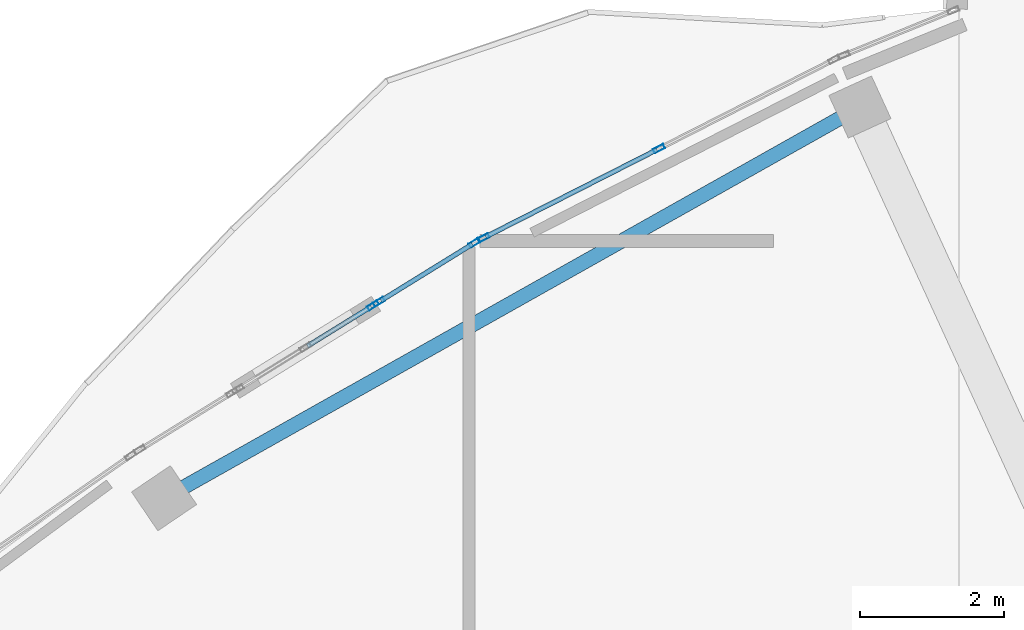
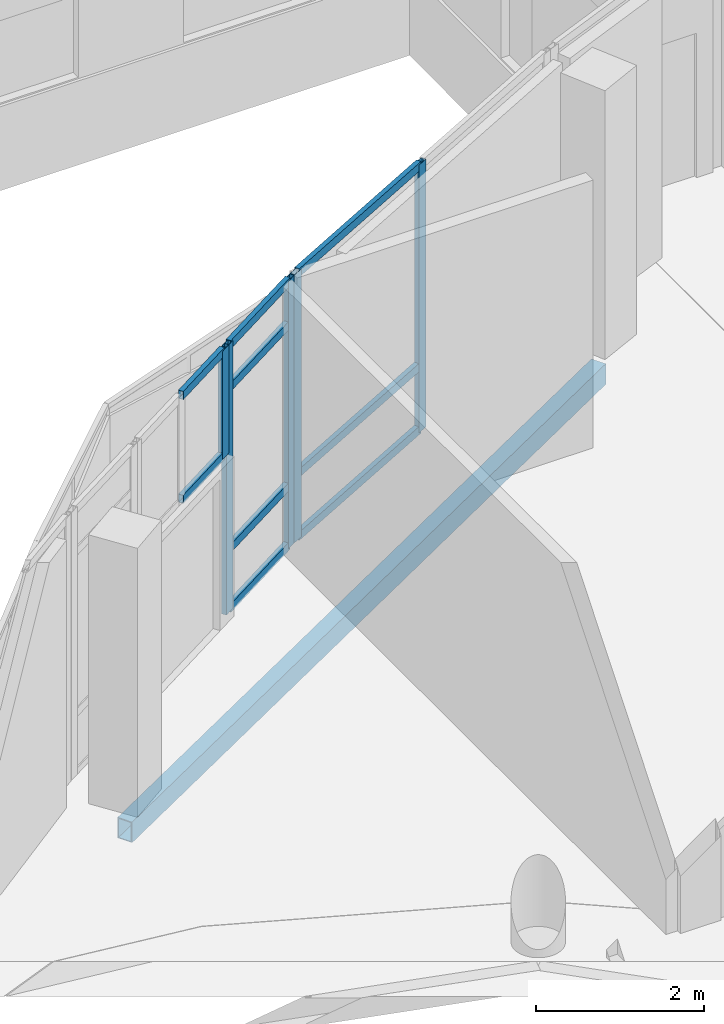
# One storey, part 106 of 184: 14 members, 1 beam, 3 elements without a shape of their own.
"""IFC4 building model written with IfcOpenShell, lengths in metres."""

import ifcopenshell
import ifcopenshell.guid

model = None  # the IFC model being written
_history = None  # IfcOwnerHistory: only IFC2X3 demands one
_inside = {}  # id of a spatial element -> (the spatial element, [elements in it])
_under = {}  # id of a project, library or spatial element -> (it, [spatial elements below it])
_declared = {}  # id of a project -> (the project, [libraries it declares])
_typed = {}  # id of a type object -> (the type object, [elements of that type])
_made_of = {}  # id of a material, layer set ... -> (it, [elements and type objects made of it])


def new_model(schema):
    """Start an empty IFC model of exactly this schema.

    Asked for "IFC4X3", IfcOpenShell would pick the latest addendum, in which some entities
    have other attributes; the version numbers below select the first issue.
    IFC2X3 requires an IfcOwnerHistory on every rooted entity: one is made here for all.
    """
    global model, _history
    if schema == "IFC4X3":
        model = ifcopenshell.file(schema_version=(4, 3, 0, 0))
    else:
        model = ifcopenshell.file(schema=schema)
    _inside.clear()
    _under.clear()
    _declared.clear()
    _typed.clear()
    _made_of.clear()
    _history = None
    if model.schema == "IFC2X3":
        org = make("IfcOrganization", Name="unknown")
        user = make(
            "IfcPersonAndOrganization",
            ThePerson=make("IfcPerson", FamilyName="unknown"),
            TheOrganization=org,
        )
        app = make(
            "IfcApplication",
            ApplicationDeveloper=org,
            Version="unknown",
            ApplicationFullName="unknown",
            ApplicationIdentifier="unknown",
        )
        _history = make(
            "IfcOwnerHistory",
            OwningUser=user,
            OwningApplication=app,
            ChangeAction="ADDED",
            CreationDate=0,
        )
    return model


def make(cls, **values):
    """One entity of the class cls with the attributes given. An attribute that is None is left unset."""
    return model.create_entity(
        cls, **{name: value for name, value in values.items() if value is not None}
    )


def rooted(cls, **values):
    """An entity with a GlobalId (a new one), such as an element, a storey or a relation."""
    return make(cls, GlobalId=ifcopenshell.guid.new(), OwnerHistory=_history, **values)


def si_unit(unit_type, name, prefix=None):
    """IfcSIUnit, for example si_unit("LENGTHUNIT", "METRE", prefix="MILLI")."""
    return make("IfcSIUnit", UnitType=unit_type, Prefix=prefix, Name=name)


def assignment(units):
    """IfcUnitAssignment: the units of a project."""
    return None if units is None else make("IfcUnitAssignment", Units=units)


def point(xyz):
    """IfcCartesianPoint."""
    return None if xyz is None else make("IfcCartesianPoint", Coordinates=xyz)


def direction(xyz):
    """IfcDirection."""
    return None if xyz is None else make("IfcDirection", DirectionRatios=xyz)


def frame(location, z_axis=None, x_axis=None):
    """IfcAxis2Placement3D, a coordinate frame: its origin and axes. An axis left out is left unset."""
    return make(
        "IfcAxis2Placement3D",
        Location=point(location),
        Axis=direction(z_axis),
        RefDirection=direction(x_axis),
    )


def frame_2d(location, x_axis=None):
    """IfcAxis2Placement2D, a coordinate frame in the plane: its origin and x axis."""
    return make(
        "IfcAxis2Placement2D", Location=point(location), RefDirection=direction(x_axis)
    )


def origin():
    """The frame at (0, 0, 0) with its axes left unset."""
    return frame((0.0, 0.0, 0.0))


def origin_2d():
    """The frame at (0, 0) in the plane with its x axis left unset."""
    return frame_2d((0.0, 0.0))


def place(relative_to, where):
    """IfcLocalPlacement: puts the frame where relative to a parent placement (None: the world)."""
    return make(
        "IfcLocalPlacement", PlacementRelTo=relative_to, RelativePlacement=where
    )


def context(
    kind, dimensions, precision=None, world=None, true_north=None, identifier=None
):
    """IfcGeometricRepresentationContext, for example the 3D "Model" context."""
    return make(
        "IfcGeometricRepresentationContext",
        ContextIdentifier=identifier,
        ContextType=kind,
        CoordinateSpaceDimension=dimensions,
        Precision=precision,
        WorldCoordinateSystem=world,
        TrueNorth=true_north,
    )


def subcontext(parent, identifier, kind, view, scale=None):
    """IfcGeometricRepresentationSubContext, for example "Body" below "Model"."""
    return make(
        "IfcGeometricRepresentationSubContext",
        ContextIdentifier=identifier,
        ContextType=kind,
        ParentContext=parent,
        TargetScale=scale,
        TargetView=view,
    )


def project(units=None, contexts=None):
    """IfcProject with its units and contexts."""
    return rooted(
        "IfcProject",
        Name="project",
        RepresentationContexts=contexts,
        UnitsInContext=assignment(units),
    )


def spatial(cls, under=None, at=None, **own):
    """A site, building, storey or space (cls), placed at a placement, below another one or the project."""
    s = rooted(cls, ObjectPlacement=at, **own)
    if under is not None:
        _under.setdefault(under.id(), (under, []))[1].append(s)
    return s


def profile(cls, at=None, kind="AREA", **sizes):
    """A parametric profile (cls). Its sizes go by their IFC names, for example OverallWidth=200.0."""
    return make(cls, ProfileType=kind, Position=at, **sizes)


def hollow_rectangle(**sizes):
    """IfcRectangleHollowProfileDef."""
    return profile("IfcRectangleHollowProfileDef", **sizes)


def extrude(swept, where, along, depth):
    """IfcExtrudedAreaSolid: the profile swept, set in the frame where, extruded along a direction by depth."""
    return make(
        "IfcExtrudedAreaSolid",
        SweptArea=swept,
        Position=where,
        ExtrudedDirection=direction(along),
        Depth=depth,
    )


def shape(context_of_items, identifier, shape_type, items):
    """IfcShapeRepresentation: the items that make up one representation, for example the "Body"."""
    return make(
        "IfcShapeRepresentation",
        ContextOfItems=context_of_items,
        RepresentationIdentifier=identifier,
        RepresentationType=shape_type,
        Items=items,
    )


def material(Name=None, Category=None):
    """IfcMaterial."""
    return make("IfcMaterial", Name=Name, Category=Category)


def material_profile(
    of_material, cross_section, Name=None, Category=None, Priority=None
):
    """IfcMaterialProfile: a cross section and its material."""
    return make(
        "IfcMaterialProfile",
        Name=Name,
        Material=of_material,
        Profile=cross_section,
        Priority=Priority,
        Category=Category,
    )


def profile_set(profiles, Name=None, composite=None):
    """IfcMaterialProfileSet."""
    return make(
        "IfcMaterialProfileSet",
        Name=Name,
        MaterialProfiles=profiles,
        CompositeProfile=composite,
    )


def made_of(thing, what):
    """Note that an element or type object is made of a material, layer set ...; save() writes the relation."""
    if what is not None:
        _made_of.setdefault(what.id(), (what, []))[1].append(thing)
    return thing


def type_object(cls, material=None, **own):
    """A type object (cls), such as IfcWallType, which elements share."""
    return made_of(rooted(cls, **own), material)


def element(
    cls,
    number,
    at=None,
    inside=None,
    cuts=None,
    type_object=None,
    material=None,
    context=None,
    identifier="Body",
    shape_type=None,
    held_by="IfcProductDefinitionShape",
    body=None,
    shapes=None,
    **own,
):
    """One element of the class cls, such as IfcWall. Its Tag is "e" and its number.

    at: its placement. inside: the storey or other place that contains it. cuts: it is an
    opening in that element (IfcRelVoidsElement). A single representation is given by context,
    identifier, shape_type and body (its items); several are given by shapes. held_by: the class
    of the entity that holds the representations. save() writes the other relations.
    """
    e = rooted(cls, Tag="e%d" % number, ObjectPlacement=at, **own)
    if body is not None:
        shapes = [shape(context, identifier, shape_type, body)]
    if shapes is not None:
        e.Representation = make(held_by, Representations=shapes)
    if inside is not None:
        _inside.setdefault(inside.id(), (inside, []))[1].append(e)
    if cuts is not None:
        rooted(
            "IfcRelVoidsElement", RelatingBuildingElement=cuts, RelatedOpeningElement=e
        )
    if type_object is not None:
        _typed.setdefault(type_object.id(), (type_object, []))[1].append(e)
    return made_of(e, material)


def aggregate(whole, parts):
    """IfcRelAggregates: a whole, such as a stair, and the parts it consists of."""
    return rooted("IfcRelAggregates", RelatingObject=whole, RelatedObjects=parts)


def save(model, path):
    """Write the relations noted so far, then the file.

    IfcRelAggregates (storeys below a building ...), IfcRelContainedInSpatialStructure (elements
    in a storey), IfcRelDefinesByType, IfcRelAssociatesMaterial and IfcRelDeclares: one each for
    every whole, place, type object, material and project.
    """
    for whole, parts in _under.values():
        aggregate(whole, parts)
    for where, things in _inside.values():
        rooted(
            "IfcRelContainedInSpatialStructure",
            RelatedElements=things,
            RelatingStructure=where,
        )
    for kind, things in _typed.values():
        rooted("IfcRelDefinesByType", RelatedObjects=things, RelatingType=kind)
    for what, things in _made_of.values():
        rooted("IfcRelAssociatesMaterial", RelatedObjects=things, RelatingMaterial=what)
    for by, libraries in _declared.values():
        rooted("IfcRelDeclares", RelatingContext=by, RelatedDefinitions=libraries)
    model.write(path)


model = new_model("IFC4")

# Units and contexts
model_context = context("Model", 3, precision=1e-05, world=origin(), true_north=direction((0.0, 1.0)))
body_context = subcontext(model_context, "Body", "Model", "MODEL_VIEW")
ifc_project = project(units=[si_unit("LENGTHUNIT", "METRE"), si_unit("AREAUNIT", "SQUARE_METRE"), si_unit("VOLUMEUNIT", "CUBIC_METRE"), si_unit("PLANEANGLEUNIT", "RADIAN"), si_unit("MASSUNIT", "GRAM", prefix="KILO")], contexts=[model_context])

# Site, building, storey
site_placement = place(None, origin())
site = spatial("IfcSite", under=ifc_project, at=site_placement, CompositionType="ELEMENT")
building_placement = place(site_placement, origin())
building = spatial("IfcBuilding", under=site, at=building_placement, Name="Selatvlak General Hospital", CompositionType="ELEMENT")
storey_placement = place(building_placement, frame((0.0, 0.0, 15.0)))
storey = spatial("IfcBuildingStorey", under=building, at=storey_placement, Name="L03", CompositionType="ELEMENT", Elevation=15.0)

# Beam
ifc_material_1 = material(Name="Steel S355", Category="steel")
ifc_material_profile_1 = material_profile(ifc_material_1, hollow_rectangle(XDim=0.199951171875, YDim=0.300048828125, WallThickness=0.011962890625, at=origin_2d()), Name="RHS 300x200x12")
ifc_profile_set_1 = profile_set([ifc_material_profile_1], Name="Steel S355")
beam_type = type_object("IfcBeamType", Name="BM-SP3", PredefinedType="SPANDREL", material=ifc_profile_set_1)
beam_placement = place(storey_placement, frame((102.572998046875, 71.77001953125, -0.489990234375), z_axis=(0.871670941026, 0.490091594063, 0.0), x_axis=(-0.490091594063, 0.871670941026, 0.0)))
element("IfcBeam", 1, at=beam_placement, inside=storey, type_object=beam_type, Name="Beam BMR-L03-1483", PredefinedType="SPANDREL", context=body_context, shape_type="SweptSolid", body=[
    extrude(hollow_rectangle(XDim=0.199951171875, YDim=0.300048828125, WallThickness=0.011962890625, at=origin_2d()), origin(), (0.0, 0.0, 1.0), 11.069580078125),
])

# Curtain wall, member
ifc_material_2 = material(Name="Solar-control Low-E double glazing", Category="glass")
curtain_wall_type_1 = type_object("IfcCurtainWallType", Name="CW-CW-02", PredefinedType="USERDEFINED", material=ifc_material_2)
curtain_wall_1_placement = place(storey_placement, origin())
curtain_wall_1 = element("IfcCurtainWall", 2, at=curtain_wall_1_placement, inside=storey, type_object=curtain_wall_type_1, Name="Glazed facade curtain wall CW-L03-0470", ObjectType="UNITISED CURTAIN WALL", PredefinedType="USERDEFINED")
ifc_material_3 = material(Name="Dark anodised aluminium mullion", Category="aluminium")
ifc_material_profile_2 = material_profile(ifc_material_3, hollow_rectangle(XDim=0.06494140625, YDim=0.159912109375, WallThickness=0.00390625, at=origin_2d()), Name="AL-MUL 65x160x4")
ifc_profile_set_2 = profile_set([ifc_material_profile_2], Name="Dark anodised aluminium mullion")
member_type_1 = type_object("IfcMemberType", Name="CWM-01", PredefinedType="MULLION", material=ifc_profile_set_2)
member_1_placement = place(storey_placement, frame((105.471435546875, 74.44287109375, 2.320068359375), z_axis=(0.0, 0.0, 1.0), x_axis=(-0.526111885649, 0.850415359562, 0.0)))
member_1 = element("IfcMember", 3, at=member_1_placement, type_object=member_type_1, Name="CW-02 mullion 3", PredefinedType="MULLION", context=body_context, shape_type="SweptSolid", body=[
    extrude(hollow_rectangle(XDim=0.06494140625, YDim=0.159912109375, WallThickness=0.00390625, at=origin_2d()), origin(), (0.0, 0.0, 1.0), 1.574951171875),
])

# Curtain wall, members
curtain_wall_type_2 = type_object("IfcCurtainWallType", Name="CW-CW-01", PredefinedType="USERDEFINED", material=ifc_material_2)
curtain_wall_2_placement = place(storey_placement, origin())
curtain_wall_2 = element("IfcCurtainWall", 4, at=curtain_wall_2_placement, inside=storey, type_object=curtain_wall_type_2, Name="Glazed facade curtain wall CW-L03-0472", ObjectType="UNITISED CURTAIN WALL", PredefinedType="USERDEFINED")
member_2_placement = place(storey_placement, frame((105.552734375, 74.4931640625, 0.0), z_axis=(0.0, 0.0, 1.0), x_axis=(-0.525611082166, 0.850724979241, 0.0)))
member_2 = element("IfcMember", 5, at=member_2_placement, type_object=member_type_1, Name="CW-01 mullion 1", PredefinedType="MULLION", context=body_context, shape_type="SweptSolid", body=[
    extrude(hollow_rectangle(XDim=0.06494140625, YDim=0.159912109375, WallThickness=0.00390625, at=origin_2d()), origin(), (0.0, 0.0, 1.0), 3.89501953125),
])
member_3_placement = place(storey_placement, frame((106.87646484375, 75.31103515625, 0.0), z_axis=(0.0, 0.0, 1.0), x_axis=(-0.525611082166, 0.850724979241, 0.0)))
member_3 = element("IfcMember", 6, at=member_3_placement, type_object=member_type_1, Name="CW-01 mullion 2", PredefinedType="MULLION", context=body_context, shape_type="SweptSolid", body=[
    extrude(hollow_rectangle(XDim=0.06494140625, YDim=0.159912109375, WallThickness=0.00390625, at=origin_2d()), origin(), (0.0, 0.0, 1.0), 3.89501953125),
])

curtain_wall_3_placement = place(storey_placement, origin())
curtain_wall_3 = element("IfcCurtainWall", 7, at=curtain_wall_3_placement, inside=storey, type_object=curtain_wall_type_2, Name="Glazed facade curtain wall CW-L03-0473", ObjectType="UNITISED CURTAIN WALL", PredefinedType="USERDEFINED")
member_4_placement = place(storey_placement, frame((107.00390625, 75.380615234375, 0.0), z_axis=(0.0, 0.0, 1.0), x_axis=(-0.453361318983, 0.891326828077, 0.0)))
member_4 = element("IfcMember", 8, at=member_4_placement, type_object=member_type_1, Name="CW-01 mullion 1", PredefinedType="MULLION", context=body_context, shape_type="SweptSolid", body=[
    extrude(hollow_rectangle(XDim=0.06494140625, YDim=0.159912109375, WallThickness=0.00390625, at=origin_2d()), origin(), (0.0, 0.0, 1.0), 3.89501953125),
])
member_5_placement = place(storey_placement, frame((109.435546875, 76.617431640625, 0.0), z_axis=(0.0, 0.0, 1.0), x_axis=(-0.453361318983, 0.891326828077, 0.0)))
member_5 = element("IfcMember", 9, at=member_5_placement, type_object=member_type_1, Name="CW-01 mullion 2", PredefinedType="MULLION", context=body_context, shape_type="SweptSolid", body=[
    extrude(hollow_rectangle(XDim=0.06494140625, YDim=0.159912109375, WallThickness=0.00390625, at=origin_2d()), origin(), (0.0, 0.0, 1.0), 3.89501953125),
])

# Member
ifc_material_profile_3 = material_profile(ifc_material_3, hollow_rectangle(XDim=0.06494140625, YDim=0.1201171875, WallThickness=0.00390625, at=origin_2d()), Name="AL-TRN 65x120x4")
ifc_profile_set_3 = profile_set([ifc_material_profile_3], Name="Dark anodised aluminium mullion")
member_type_2 = type_object("IfcMemberType", Name="CWT-01", PredefinedType="USERDEFINED", material=ifc_profile_set_3)
member_6_placement = place(storey_placement, frame((104.5615234375, 73.880126953125, 2.3525390625), z_axis=(0.850435657631, 0.526079074123, 0.0), x_axis=(-0.526079074123, 0.850435657631, 0.0)))
member_6 = element("IfcMember", 10, at=member_6_placement, type_object=member_type_2, Name="CW-02 transom 2.1", ObjectType="TRANSOM", PredefinedType="USERDEFINED", context=body_context, shape_type="SweptSolid", body=[
    extrude(hollow_rectangle(XDim=0.06494140625, YDim=0.1201171875, WallThickness=0.00390625, at=origin_2d()), origin(), (0.0, 0.0, 1.0), 1.037109375),
])

member_7_placement = place(storey_placement, frame((104.5615234375, 73.880126953125, 3.862548828125), z_axis=(0.850435657631, 0.526079074123, 0.0), x_axis=(-0.526079074123, 0.850435657631, 0.0)))
member_7 = element("IfcMember", 11, at=member_7_placement, type_object=member_type_2, Name="CW-02 transom 2.2", ObjectType="TRANSOM", PredefinedType="USERDEFINED", context=body_context, shape_type="SweptSolid", body=[
    extrude(hollow_rectangle(XDim=0.06494140625, YDim=0.1201171875, WallThickness=0.00390625, at=origin_2d()), origin(), (0.0, 0.0, 1.0), 1.037109375),
])

aggregate(curtain_wall_1, [member_1, member_6, member_7])

member_8_placement = place(storey_placement, frame((105.580322265625, 74.51025390625, 0.032470703125), z_axis=(0.850701084111, 0.525649755533, 0.0), x_axis=(-0.525649755533, 0.850701084111, 0.0)))
member_8 = element("IfcMember", 12, at=member_8_placement, type_object=member_type_2, Name="CW-01 transom 1.1", ObjectType="TRANSOM", PredefinedType="USERDEFINED", context=body_context, shape_type="SweptSolid", body=[
    extrude(hollow_rectangle(XDim=0.06494140625, YDim=0.1201171875, WallThickness=0.00390625, at=origin_2d()), origin(), (0.0, 0.0, 1.0), 1.490966796875),
])

member_9_placement = place(storey_placement, frame((105.580322265625, 74.51025390625, 0.89990234375), z_axis=(0.850701084111, 0.525649755533, 0.0), x_axis=(-0.525649755533, 0.850701084111, 0.0)))
member_9 = element("IfcMember", 13, at=member_9_placement, type_object=member_type_2, Name="CW-01 transom 1.2", ObjectType="TRANSOM", PredefinedType="USERDEFINED", context=body_context, shape_type="SweptSolid", body=[
    extrude(hollow_rectangle(XDim=0.06494140625, YDim=0.1201171875, WallThickness=0.00390625, at=origin_2d()), origin(), (0.0, 0.0, 1.0), 1.490966796875),
])

member_10_placement = place(storey_placement, frame((105.580322265625, 74.51025390625, 3.2451171875), z_axis=(0.850701084111, 0.525649755533, 0.0), x_axis=(-0.525649755533, 0.850701084111, 0.0)))
member_10 = element("IfcMember", 14, at=member_10_placement, type_object=member_type_2, Name="CW-01 transom 1.3", ObjectType="TRANSOM", PredefinedType="USERDEFINED", context=body_context, shape_type="SweptSolid", body=[
    extrude(hollow_rectangle(XDim=0.06494140625, YDim=0.1201171875, WallThickness=0.00390625, at=origin_2d()), origin(), (0.0, 0.0, 1.0), 1.490966796875),
])

member_11_placement = place(storey_placement, frame((105.580322265625, 74.51025390625, 3.862548828125), z_axis=(0.850701084111, 0.525649755533, 0.0), x_axis=(-0.525649755533, 0.850701084111, 0.0)))
member_11 = element("IfcMember", 15, at=member_11_placement, type_object=member_type_2, Name="CW-01 transom 1.4", ObjectType="TRANSOM", PredefinedType="USERDEFINED", context=body_context, shape_type="SweptSolid", body=[
    extrude(hollow_rectangle(XDim=0.06494140625, YDim=0.1201171875, WallThickness=0.00390625, at=origin_2d()), origin(), (0.0, 0.0, 1.0), 1.490966796875),
])

aggregate(curtain_wall_2, [member_2, member_3, member_8, member_9, member_10, member_11])

member_12_placement = place(storey_placement, frame((107.032958984375, 75.3955078125, 0.032470703125), z_axis=(0.891325480474, 0.453363968416, 0.0), x_axis=(-0.453363968416, 0.891325480474, 0.0)))
member_12 = element("IfcMember", 16, at=member_12_placement, type_object=member_type_2, Name="CW-01 transom 1.1", ObjectType="TRANSOM", PredefinedType="USERDEFINED", context=body_context, shape_type="SweptSolid", body=[
    extrude(hollow_rectangle(XDim=0.06494140625, YDim=0.1201171875, WallThickness=0.00390625, at=origin_2d()), origin(), (0.0, 0.0, 1.0), 2.662841796875),
])

member_13_placement = place(storey_placement, frame((107.032958984375, 75.3955078125, 0.949951171875), z_axis=(0.891325480474, 0.453363968416, 0.0), x_axis=(-0.453363968416, 0.891325480474, 0.0)))
member_13 = element("IfcMember", 17, at=member_13_placement, type_object=member_type_2, Name="CW-01 transom 1.2", ObjectType="TRANSOM", PredefinedType="USERDEFINED", context=body_context, shape_type="SweptSolid", body=[
    extrude(hollow_rectangle(XDim=0.06494140625, YDim=0.1201171875, WallThickness=0.00390625, at=origin_2d()), origin(), (0.0, 0.0, 1.0), 2.662841796875),
])

member_14_placement = place(storey_placement, frame((107.032958984375, 75.3955078125, 3.862548828125), z_axis=(0.891325480474, 0.453363968416, 0.0), x_axis=(-0.453363968416, 0.891325480474, 0.0)))
member_14 = element("IfcMember", 18, at=member_14_placement, type_object=member_type_2, Name="CW-01 transom 1.3", ObjectType="TRANSOM", PredefinedType="USERDEFINED", context=body_context, shape_type="SweptSolid", body=[
    extrude(hollow_rectangle(XDim=0.06494140625, YDim=0.1201171875, WallThickness=0.00390625, at=origin_2d()), origin(), (0.0, 0.0, 1.0), 2.662841796875),
])

aggregate(curtain_wall_3, [member_4, member_5, member_12, member_13, member_14])

save(model, "model.ifc")
